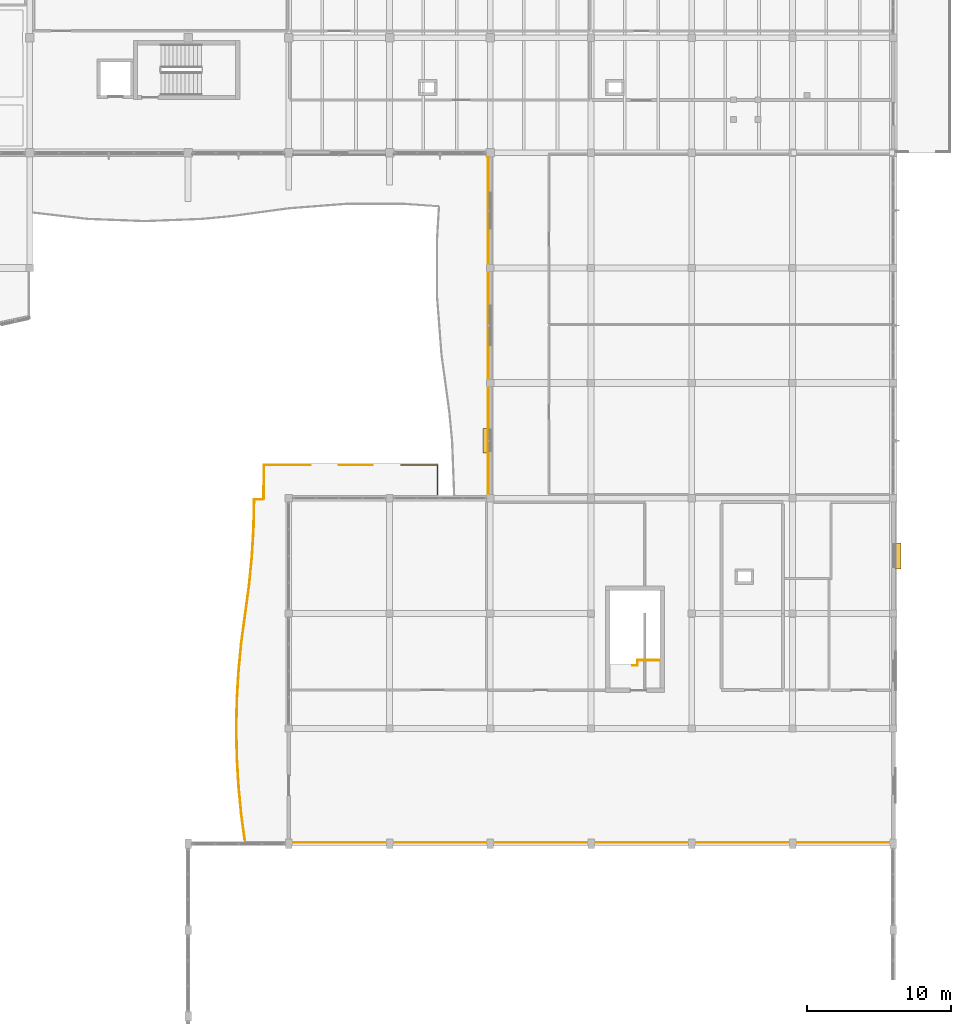
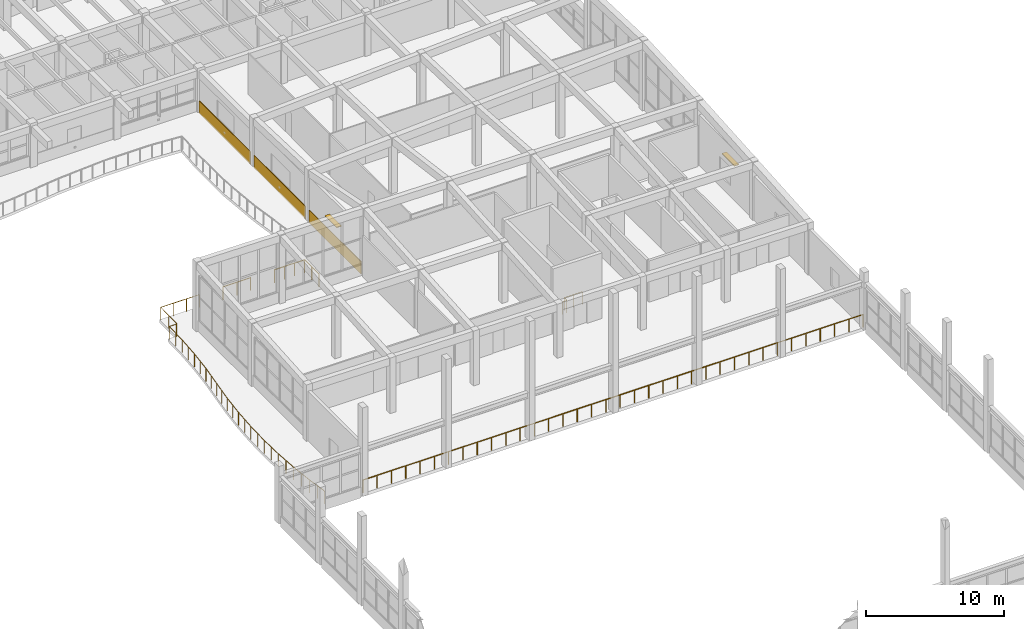
# One storey, part 86 of 89: 5 railings, 3 coverings, 2 shading devices.
"""IFC4 building model written with IfcOpenShell, lengths in metres."""

from ifc_helpers import new_model, si_unit, direction, frame, origin, origin_2d, place, context, subcontext, project, spatial, polyline, rectangle, circle, outline, extrude, material, layer, layer_set, type_object, element, save


model = new_model("IFC4")

# Units and contexts
model_context = context("Model", 3, precision=1e-05, world=origin(), true_north=direction((0.0, 1.0)))
body_context = subcontext(model_context, "Body", "Model", "MODEL_VIEW")
ifc_project = project(units=[si_unit("LENGTHUNIT", "METRE"), si_unit("AREAUNIT", "SQUARE_METRE"), si_unit("VOLUMEUNIT", "CUBIC_METRE"), si_unit("PLANEANGLEUNIT", "RADIAN"), si_unit("MASSUNIT", "GRAM", prefix="KILO")], contexts=[model_context])

# Site, building, storey
site_placement = place(None, origin())
site = spatial("IfcSite", under=ifc_project, at=site_placement, CompositionType="ELEMENT")
building_placement = place(site_placement, origin())
building = spatial("IfcBuilding", under=site, at=building_placement, Name="Tonlespit Floodbar School", CompositionType="ELEMENT")
storey_placement = place(building_placement, frame((0.0, 0.0, 4.5)))
storey = spatial("IfcBuildingStorey", under=building, at=storey_placement, Name="L01", CompositionType="ELEMENT", Elevation=4.5)

# Railing
ifc_material_1 = material(Name="Galvanised Steel", Category="steel")
railing_type_1 = type_object("IfcRailingType", Name="Balustrade_Ext_1150", PredefinedType="BALUSTRADE", material=ifc_material_1)
railing_1_placement = place(storey_placement, frame((137.5, 82.319580078125, 0.0)))
element("IfcRailing", 1, at=railing_1_placement, inside=storey, type_object=railing_type_1, Name="L01 terrace balustrade 004", PredefinedType="BALUSTRADE", context=body_context, shape_type="SweptSolid", body=[
    extrude(circle(Radius=0.02392578125, at=origin_2d()), frame((0.0, 0.0, 1.1259765625), z_axis=(0.999999994367, 0.000106145844, 0.0), x_axis=(-0.000106145844, 0.999999994367, 0.0)), (0.0, 0.0, 1.0), 2.300048828125),
    extrude(circle(Radius=0.02099609375, at=origin_2d()), origin(), (0.0, 0.0, 1.0), 1.101806640625),
    extrude(circle(Radius=0.02099609375, at=origin_2d()), frame((1.14990234375, 0.0, 0.0)), (0.0, 0.0, 1.0), 1.101806640625),
    extrude(circle(Radius=0.02099609375, at=origin_2d()), frame((2.300048828125, 0.000244140625, 0.0)), (0.0, 0.0, 1.0), 1.101806640625),
])

# Coverings
ifc_material_2 = material(Name="White Architectural Aluminium", Category="aluminium")
ifc_layer_1 = layer(ifc_material_2, 0.050048828125)
ifc_layer_set_1 = layer_set([ifc_layer_1], Name="White Architectural Aluminium")
covering_type = type_object("IfcCoveringType", Name="Cladding_WhiteBand_50", PredefinedType="CLADDING", material=ifc_layer_set_1)
covering_1_placement = place(storey_placement, frame((0.0, 0.0, -0.1201171875)))
element("IfcCovering", 2, at=covering_1_placement, inside=storey, type_object=covering_type, Name="L01 curved white spandrel cladding 0661", PredefinedType="CLADDING", context=body_context, shape_type="SweptSolid", body=[
    extrude(outline(polyline([(147.8798828125, 96.25), (147.8798828125, 103.699951171875), (147.830078125, 103.699951171875), (147.830078125, 96.25), (147.8798828125, 96.25)])), origin(), (0.0, 0.0, 1.0), 1.1201171875),
])
covering_2_placement = place(storey_placement, frame((0.0, 0.0, -0.1201171875)))
element("IfcCovering", 3, at=covering_2_placement, inside=storey, type_object=covering_type, Name="L01 curved white spandrel cladding 0662", PredefinedType="CLADDING", context=body_context, shape_type="SweptSolid", body=[
    extrude(outline(polyline([(147.8798828125, 88.25), (147.8798828125, 95.75), (147.830078125, 95.75), (147.830078125, 88.25), (147.8798828125, 88.25)])), origin(), (0.0, 0.0, 1.0), 1.1201171875),
])
covering_3_placement = place(storey_placement, frame((0.0, 0.0, -0.1201171875)))
element("IfcCovering", 4, at=covering_3_placement, inside=storey, type_object=covering_type, Name="L01 curved white spandrel cladding 0663", PredefinedType="CLADDING", context=body_context, shape_type="SweptSolid", body=[
    extrude(outline(polyline([(147.8798828125, 80.25), (147.8798828125, 87.75), (147.830078125, 87.75), (147.830078125, 80.25), (147.8798828125, 80.25)])), origin(), (0.0, 0.0, 1.0), 1.1201171875),
])

# Railings
railing_type_2 = type_object("IfcRailingType", Name="Guard_Int_1150", PredefinedType="BALUSTRADE", material=ifc_material_1)
railing_2_placement = place(storey_placement, frame((159.75, 68.75, 0.0)))
element("IfcRailing", 5, at=railing_2_placement, inside=storey, type_object=railing_type_2, Name="L01 ST-C5 top well guard 1", PredefinedType="BALUSTRADE", context=body_context, shape_type="SweptSolid", body=[
    extrude(circle(Radius=0.02392578125, at=origin_2d()), frame((0.0, 0.0, 1.1259765625), z_axis=(-1.0, 0.0, 0.0), x_axis=(0.0, -1.0, 0.0)), (0.0, 0.0, 1.0), 1.52001953125),
    extrude(circle(Radius=0.02392578125, at=origin_2d()), frame((-1.52001953125, 0.0, 1.1259765625), z_axis=(0.0, -1.0, 0.0), x_axis=(1.0, 0.0, 0.0)), (0.0, 0.0, 1.0), 0.3798828125),
    extrude(circle(Radius=0.02392578125, at=origin_2d()), frame((-1.52001953125, -0.3798828125, 1.1259765625), z_axis=(-1.0, 0.0, 0.0), x_axis=(0.0, -1.0, 0.0)), (0.0, 0.0, 1.0), 0.35009765625),
    extrude(circle(Radius=0.02099609375, at=origin_2d()), origin(), (0.0, 0.0, 1.0), 1.101806640625),
    extrude(circle(Radius=0.02099609375, at=origin_2d()), frame((-0.760009765625, 0.0, 0.0)), (0.0, 0.0, 1.0), 1.101806640625),
    extrude(circle(Radius=0.02099609375, at=origin_2d()), frame((-1.52001953125, 0.0, 0.0)), (0.0, 0.0, 1.0), 1.101806640625),
    extrude(circle(Radius=0.02099609375, at=origin_2d()), frame((-1.52001953125, -0.3798828125, 0.0)), (0.0, 0.0, 1.0), 1.101806640625),
    extrude(circle(Radius=0.02099609375, at=origin_2d()), frame((-1.8701171875, -0.3798828125, 0.0)), (0.0, 0.0, 1.0), 1.101806640625),
])
railing_3_placement = place(storey_placement, frame((134.050048828125, 56.080078125, 0.0)))
element("IfcRailing", 6, at=railing_3_placement, inside=storey, type_object=railing_type_2, Name="L01 Hall spectator gallery balustrade", PredefinedType="BALUSTRADE", context=body_context, shape_type="SweptSolid", body=[
    extrude(circle(Radius=0.02392578125, at=origin_2d()), frame((0.0, 0.0, 1.1259765625), z_axis=(1.0, 0.0, 0.0), x_axis=(0.0, 1.0, 0.0)), (0.0, 0.0, 1.0), 41.89990234375),
    extrude(circle(Radius=0.02099609375, at=origin_2d()), origin(), (0.0, 0.0, 1.0), 1.101806640625),
    extrude(circle(Radius=0.02099609375, at=origin_2d()), frame((1.197021484375, 0.0, 0.0)), (0.0, 0.0, 1.0), 1.101806640625),
    extrude(circle(Radius=0.02099609375, at=origin_2d()), frame((2.394287109375, 0.0, 0.0)), (0.0, 0.0, 1.0), 1.101806640625),
    extrude(circle(Radius=0.02099609375, at=origin_2d()), frame((3.59130859375, 0.0, 0.0)), (0.0, 0.0, 1.0), 1.101806640625),
    extrude(circle(Radius=0.02099609375, at=origin_2d()), frame((4.78857421875, 0.0, 0.0)), (0.0, 0.0, 1.0), 1.101806640625),
    extrude(circle(Radius=0.02099609375, at=origin_2d()), frame((5.985595703125, 0.0, 0.0)), (0.0, 0.0, 1.0), 1.101806640625),
    extrude(circle(Radius=0.02099609375, at=origin_2d()), frame((7.182861328125, 0.0, 0.0)), (0.0, 0.0, 1.0), 1.101806640625),
    extrude(circle(Radius=0.02099609375, at=origin_2d()), frame((8.3798828125, 0.0, 0.0)), (0.0, 0.0, 1.0), 1.101806640625),
    extrude(circle(Radius=0.02099609375, at=origin_2d()), frame((9.5771484375, 0.0, 0.0)), (0.0, 0.0, 1.0), 1.101806640625),
    extrude(circle(Radius=0.02099609375, at=origin_2d()), frame((10.774169921875, 0.0, 0.0)), (0.0, 0.0, 1.0), 1.101806640625),
    extrude(circle(Radius=0.02099609375, at=origin_2d()), frame((11.971435546875, 0.0, 0.0)), (0.0, 0.0, 1.0), 1.101806640625),
    extrude(circle(Radius=0.02099609375, at=origin_2d()), frame((13.16845703125, 0.0, 0.0)), (0.0, 0.0, 1.0), 1.101806640625),
    extrude(circle(Radius=0.02099609375, at=origin_2d()), frame((14.36572265625, 0.0, 0.0)), (0.0, 0.0, 1.0), 1.101806640625),
    extrude(circle(Radius=0.02099609375, at=origin_2d()), frame((15.562744140625, 0.0, 0.0)), (0.0, 0.0, 1.0), 1.101806640625),
    extrude(circle(Radius=0.02099609375, at=origin_2d()), frame((16.760009765625, 0.0, 0.0)), (0.0, 0.0, 1.0), 1.101806640625),
    extrude(circle(Radius=0.02099609375, at=origin_2d()), frame((17.95703125, 0.0, 0.0)), (0.0, 0.0, 1.0), 1.101806640625),
    extrude(circle(Radius=0.02099609375, at=origin_2d()), frame((19.154296875, 0.0, 0.0)), (0.0, 0.0, 1.0), 1.101806640625),
    extrude(circle(Radius=0.02099609375, at=origin_2d()), frame((20.351318359375, 0.0, 0.0)), (0.0, 0.0, 1.0), 1.101806640625),
    extrude(circle(Radius=0.02099609375, at=origin_2d()), frame((21.548583984375, 0.0, 0.0)), (0.0, 0.0, 1.0), 1.101806640625),
    extrude(circle(Radius=0.02099609375, at=origin_2d()), frame((22.74560546875, 0.0, 0.0)), (0.0, 0.0, 1.0), 1.101806640625),
    extrude(circle(Radius=0.02099609375, at=origin_2d()), frame((23.94287109375, 0.0, 0.0)), (0.0, 0.0, 1.0), 1.101806640625),
    extrude(circle(Radius=0.02099609375, at=origin_2d()), frame((25.139892578125, 0.0, 0.0)), (0.0, 0.0, 1.0), 1.101806640625),
    extrude(circle(Radius=0.02099609375, at=origin_2d()), frame((26.337158203125, 0.0, 0.0)), (0.0, 0.0, 1.0), 1.101806640625),
    extrude(circle(Radius=0.02099609375, at=origin_2d()), frame((27.5341796875, 0.0, 0.0)), (0.0, 0.0, 1.0), 1.101806640625),
    extrude(circle(Radius=0.02099609375, at=origin_2d()), frame((28.7314453125, 0.0, 0.0)), (0.0, 0.0, 1.0), 1.101806640625),
    extrude(circle(Radius=0.02099609375, at=origin_2d()), frame((29.928466796875, 0.0, 0.0)), (0.0, 0.0, 1.0), 1.101806640625),
    extrude(circle(Radius=0.02099609375, at=origin_2d()), frame((31.125732421875, 0.0, 0.0)), (0.0, 0.0, 1.0), 1.101806640625),
    extrude(circle(Radius=0.02099609375, at=origin_2d()), frame((32.32275390625, 0.0, 0.0)), (0.0, 0.0, 1.0), 1.101806640625),
    extrude(circle(Radius=0.02099609375, at=origin_2d()), frame((33.52001953125, 0.0, 0.0)), (0.0, 0.0, 1.0), 1.101806640625),
    extrude(circle(Radius=0.02099609375, at=origin_2d()), frame((34.717041015625, 0.0, 0.0)), (0.0, 0.0, 1.0), 1.101806640625),
    extrude(circle(Radius=0.02099609375, at=origin_2d()), frame((35.914306640625, 0.0, 0.0)), (0.0, 0.0, 1.0), 1.101806640625),
    extrude(circle(Radius=0.02099609375, at=origin_2d()), frame((37.111328125, 0.0, 0.0)), (0.0, 0.0, 1.0), 1.101806640625),
    extrude(circle(Radius=0.02099609375, at=origin_2d()), frame((38.30859375, 0.0, 0.0)), (0.0, 0.0, 1.0), 1.101806640625),
    extrude(circle(Radius=0.02099609375, at=origin_2d()), frame((39.505615234375, 0.0, 0.0)), (0.0, 0.0, 1.0), 1.101806640625),
    extrude(circle(Radius=0.02099609375, at=origin_2d()), frame((40.702880859375, 0.0, 0.0)), (0.0, 0.0, 1.0), 1.101806640625),
    extrude(circle(Radius=0.02099609375, at=origin_2d()), frame((41.89990234375, 0.0, 0.0)), (0.0, 0.0, 1.0), 1.101806640625),
])
ifc_material_3 = material(Name="Anodised Aluminium", Category="aluminium")
railing_type_3 = type_object("IfcRailingType", Name="Guardrail_Terrace_1150", PredefinedType="GUARDRAIL", material=ifc_material_3)
railing_4_placement = place(storey_placement, frame((130.94677734375, 56.25244140625, 0.0)))
element("IfcRailing", 7, at=railing_4_placement, inside=storey, type_object=railing_type_3, Name="L01 terrace balustrade 003", PredefinedType="GUARDRAIL", context=body_context, shape_type="SweptSolid", body=[
    extrude(circle(Radius=0.02392578125, at=origin_2d()), frame((0.0, 0.0, 1.1259765625), z_axis=(-0.134824357695, 0.990869513393, 0.0), x_axis=(-0.990869513393, -0.134824357695, 0.0)), (0.0, 0.0, 1.0), 1.772705078125),
    extrude(circle(Radius=0.02392578125, at=origin_2d()), frame((-0.239013671875, 1.756591796875, 1.1259765625), z_axis=(-0.096129750749, 0.995368811557, 0.0), x_axis=(-0.995368811557, -0.096129750749, 0.0)), (0.0, 0.0, 1.0), 2.00634765625),
    extrude(circle(Radius=0.02392578125, at=origin_2d()), frame((-0.431884765625, 3.753662109375, 1.1259765625), z_axis=(-0.057734566721, 0.998331968739, 0.0), x_axis=(-0.998331968739, -0.057734566721, 0.0)), (0.0, 0.0, 1.0), 2.000244140625),
    extrude(circle(Radius=0.02392578125, at=origin_2d()), frame((-0.54736328125, 5.75048828125, 1.1259765625), z_axis=(-0.019314161553, 0.999813464184, 0.0), x_axis=(-0.999813464184, -0.019314161553, 0.0)), (0.0, 0.0, 1.0), 1.997314453125),
    extrude(circle(Radius=0.02392578125, at=origin_2d()), frame((-0.5859375, 7.747314453125, 1.1259765625), z_axis=(0.019314161553, 0.999813464184, 0.0), x_axis=(-0.999813464184, 0.019314161553, 0.0)), (0.0, 0.0, 1.0), 1.997314453125),
    extrude(circle(Radius=0.02392578125, at=origin_2d()), frame((-0.54736328125, 9.744140625, 1.1259765625), z_axis=(0.057727532228, 0.998332375526, 0.0), x_axis=(-0.998332375526, 0.057727532228, 0.0)), (0.0, 0.0, 1.0), 2.00048828125),
    extrude(circle(Radius=0.02392578125, at=origin_2d()), frame((-0.431884765625, 11.7412109375, 1.1259765625), z_axis=(0.096141395359, 0.995367686887, 0.0), x_axis=(-0.995367686887, 0.096141395359, 0.0)), (0.0, 0.0, 1.0), 2.006103515625),
    extrude(circle(Radius=0.02392578125, at=origin_2d()), frame((-0.239013671875, 13.738037109375, 1.1259765625), z_axis=(0.134589280079, 0.990901471231, 0.0), x_axis=(-0.990901471231, 0.134589280079, 0.0)), (0.0, 0.0, 1.0), 2.01708984375),
    extrude(circle(Radius=0.02392578125, at=origin_2d()), frame((0.032470703125, 15.73681640625, 1.1259765625), z_axis=(0.134691964857, 0.990887518643, 0.0), x_axis=(-0.990887518643, 0.134691964857, 0.0)), (0.0, 0.0, 1.0), 2.017333984375),
    extrude(circle(Radius=0.02392578125, at=origin_2d()), frame((0.30419921875, 17.73583984375, 1.1259765625), z_axis=(0.0961885164, 0.995363134395, 0.0), x_axis=(-0.995363134395, 0.0961885164, 0.0)), (0.0, 0.0, 1.0), 2.0126953125),
    extrude(circle(Radius=0.02392578125, at=origin_2d()), frame((0.497802734375, 19.7392578125, 1.1259765625), z_axis=(0.057673494989, 0.998335498706, 0.0), x_axis=(-0.998335498706, 0.057673494989, 0.0)), (0.0, 0.0, 1.0), 2.006591796875),
    extrude(circle(Radius=0.02392578125, at=origin_2d()), frame((0.613525390625, 21.742431640625, 1.1259765625), z_axis=(0.019400279635, 0.999811796865, 0.0), x_axis=(-0.999811796865, 0.019400279635, 0.0)), (0.0, 0.0, 1.0), 1.92529296875),
    extrude(circle(Radius=0.02392578125, at=origin_2d()), frame((0.65087890625, 23.66748046875, 1.1259765625), z_axis=(1.0, 0.0, 0.0), x_axis=(0.0, 1.0, 0.0)), (0.0, 0.0, 1.0), 0.582275390625),
    extrude(circle(Radius=0.02392578125, at=origin_2d()), frame((1.233154296875, 23.66748046875, 1.1259765625), z_axis=(0.915807842128, 0.401616728109, 0.0), x_axis=(-0.401616728109, 0.915807842128, 0.0)), (0.0, 0.0, 1.0), 0.080322265625),
    extrude(circle(Radius=0.02392578125, at=origin_2d()), frame((1.306640625, 23.69970703125, 1.1259765625), z_axis=(0.011239879811, 0.999936830556, 0.0), x_axis=(-0.999936830556, 0.011239879811, 0.0)), (0.0, 0.0, 1.0), 2.36767578125),
    extrude(circle(Radius=0.02392578125, at=origin_2d()), frame((1.333251953125, 26.067138671875, 1.1259765625), z_axis=(1.0, 0.0, 0.0), x_axis=(0.0, 1.0, 0.0)), (0.0, 0.0, 1.0), 3.219970703125),
    extrude(circle(Radius=0.02099609375, at=origin_2d()), origin(), (0.0, 0.0, 1.0), 1.101806640625),
    extrude(circle(Radius=0.02099609375, at=origin_2d()), frame((-0.11962890625, 0.87841796875, 0.0)), (0.0, 0.0, 1.0), 1.101806640625),
    extrude(circle(Radius=0.02099609375, at=origin_2d()), frame((-0.239013671875, 1.756591796875, 0.0)), (0.0, 0.0, 1.0), 1.101806640625),
    extrude(circle(Radius=0.02099609375, at=origin_2d()), frame((-0.33544921875, 2.755126953125, 0.0)), (0.0, 0.0, 1.0), 1.101806640625),
    extrude(circle(Radius=0.02099609375, at=origin_2d()), frame((-0.431884765625, 3.753662109375, 0.0)), (0.0, 0.0, 1.0), 1.101806640625),
    extrude(circle(Radius=0.02099609375, at=origin_2d()), frame((-0.48974609375, 4.751953125, 0.0)), (0.0, 0.0, 1.0), 1.101806640625),
    extrude(circle(Radius=0.02099609375, at=origin_2d()), frame((-0.54736328125, 5.75048828125, 0.0)), (0.0, 0.0, 1.0), 1.101806640625),
    extrude(circle(Radius=0.02099609375, at=origin_2d()), frame((-0.566650390625, 6.7490234375, 0.0)), (0.0, 0.0, 1.0), 1.101806640625),
    extrude(circle(Radius=0.02099609375, at=origin_2d()), frame((-0.5859375, 7.747314453125, 0.0)), (0.0, 0.0, 1.0), 1.101806640625),
    extrude(circle(Radius=0.02099609375, at=origin_2d()), frame((-0.566650390625, 8.74560546875, 0.0)), (0.0, 0.0, 1.0), 1.101806640625),
    extrude(circle(Radius=0.02099609375, at=origin_2d()), frame((-0.54736328125, 9.744140625, 0.0)), (0.0, 0.0, 1.0), 1.101806640625),
    extrude(circle(Radius=0.02099609375, at=origin_2d()), frame((-0.48974609375, 10.74267578125, 0.0)), (0.0, 0.0, 1.0), 1.101806640625),
    extrude(circle(Radius=0.02099609375, at=origin_2d()), frame((-0.431884765625, 11.7412109375, 0.0)), (0.0, 0.0, 1.0), 1.101806640625),
    extrude(circle(Radius=0.02099609375, at=origin_2d()), frame((-0.33544921875, 12.73974609375, 0.0)), (0.0, 0.0, 1.0), 1.101806640625),
    extrude(circle(Radius=0.02099609375, at=origin_2d()), frame((-0.239013671875, 13.738037109375, 0.0)), (0.0, 0.0, 1.0), 1.101806640625),
    extrude(circle(Radius=0.02099609375, at=origin_2d()), frame((-0.103271484375, 14.7373046875, 0.0)), (0.0, 0.0, 1.0), 1.101806640625),
    extrude(circle(Radius=0.02099609375, at=origin_2d()), frame((0.032470703125, 15.73681640625, 0.0)), (0.0, 0.0, 1.0), 1.101806640625),
    extrude(circle(Radius=0.02099609375, at=origin_2d()), frame((0.16845703125, 16.736328125, 0.0)), (0.0, 0.0, 1.0), 1.101806640625),
    extrude(circle(Radius=0.02099609375, at=origin_2d()), frame((0.30419921875, 17.73583984375, 0.0)), (0.0, 0.0, 1.0), 1.101806640625),
    extrude(circle(Radius=0.02099609375, at=origin_2d()), frame((0.40087890625, 18.737548828125, 0.0)), (0.0, 0.0, 1.0), 1.101806640625),
    extrude(circle(Radius=0.02099609375, at=origin_2d()), frame((0.497802734375, 19.7392578125, 0.0)), (0.0, 0.0, 1.0), 1.101806640625),
    extrude(circle(Radius=0.02099609375, at=origin_2d()), frame((0.5556640625, 20.74072265625, 0.0)), (0.0, 0.0, 1.0), 1.101806640625),
    extrude(circle(Radius=0.02099609375, at=origin_2d()), frame((0.613525390625, 21.742431640625, 0.0)), (0.0, 0.0, 1.0), 1.101806640625),
    extrude(circle(Radius=0.02099609375, at=origin_2d()), frame((0.63232421875, 22.705078125, 0.0)), (0.0, 0.0, 1.0), 1.101806640625),
    extrude(circle(Radius=0.02099609375, at=origin_2d()), frame((0.65087890625, 23.66748046875, 0.0)), (0.0, 0.0, 1.0), 1.101806640625),
    extrude(circle(Radius=0.02099609375, at=origin_2d()), frame((1.233154296875, 23.66748046875, 0.0)), (0.0, 0.0, 1.0), 1.101806640625),
    extrude(circle(Radius=0.02099609375, at=origin_2d()), frame((1.306640625, 23.69970703125, 0.0)), (0.0, 0.0, 1.0), 1.101806640625),
    extrude(circle(Radius=0.02099609375, at=origin_2d()), frame((1.31982421875, 24.88330078125, 0.0)), (0.0, 0.0, 1.0), 1.101806640625),
    extrude(circle(Radius=0.02099609375, at=origin_2d()), frame((1.333251953125, 26.067138671875, 0.0)), (0.0, 0.0, 1.0), 1.101806640625),
    extrude(circle(Radius=0.02099609375, at=origin_2d()), frame((2.406494140625, 26.067138671875, 0.0)), (0.0, 0.0, 1.0), 1.101806640625),
    extrude(circle(Radius=0.02099609375, at=origin_2d()), frame((3.47998046875, 26.067138671875, 0.0)), (0.0, 0.0, 1.0), 1.101806640625),
    extrude(circle(Radius=0.02099609375, at=origin_2d()), frame((4.55322265625, 26.067138671875, 0.0)), (0.0, 0.0, 1.0), 1.101806640625),
])
railing_5_placement = place(storey_placement, frame((141.800048828125, 82.31982421875, 0.0)))
element("IfcRailing", 8, at=railing_5_placement, inside=storey, type_object=railing_type_3, Name="L01 terrace balustrade 005", PredefinedType="GUARDRAIL", context=body_context, shape_type="SweptSolid", body=[
    extrude(circle(Radius=0.02392578125, at=origin_2d()), frame((0.0, 0.0, 1.1259765625), z_axis=(0.999999995305, 9.6899224e-05, 0.0), x_axis=(-9.6899224e-05, 0.999999995305, 0.0)), (0.0, 0.0, 1.0), 2.51953125),
    extrude(circle(Radius=0.02392578125, at=origin_2d()), frame((2.51953125, 0.000244140625, 1.1259765625), z_axis=(0.000236155384, -0.999999972115, 0.0), x_axis=(0.999999972115, 0.000236155384, 0.0)), (0.0, 0.0, 1.0), 2.067626953125),
    extrude(circle(Radius=0.02099609375, at=origin_2d()), origin(), (0.0, 0.0, 1.0), 1.101806640625),
    extrude(circle(Radius=0.02099609375, at=origin_2d()), frame((0.83984375, 0.0, 0.0)), (0.0, 0.0, 1.0), 1.101806640625),
    extrude(circle(Radius=0.02099609375, at=origin_2d()), frame((1.6796875, 0.000244140625, 0.0)), (0.0, 0.0, 1.0), 1.101806640625),
    extrude(circle(Radius=0.02099609375, at=origin_2d()), frame((2.51953125, 0.000244140625, 0.0)), (0.0, 0.0, 1.0), 1.101806640625),
    extrude(circle(Radius=0.02099609375, at=origin_2d()), frame((2.519775390625, -1.03369140625, 0.0)), (0.0, 0.0, 1.0), 1.101806640625),
    extrude(circle(Radius=0.02099609375, at=origin_2d()), frame((2.52001953125, -2.0673828125, 0.0)), (0.0, 0.0, 1.0), 1.101806640625),
])

# Shading devices
ifc_layer_2 = layer(ifc_material_3, 0.080078125)
ifc_layer_set_2 = layer_set([ifc_layer_2], Name="Anodised Aluminium")
shading_device_type = type_object("IfcShadingDeviceType", Name="Shading_MonsoonJalousie_400", PredefinedType="JALOUSIE", material=ifc_layer_set_2)
shading_device_1_placement = place(storey_placement, frame((176.33544921875, 76.0, 2.619873046875), z_axis=(0.0, 0.0, 1.0), x_axis=(0.0, -1.0, 0.0)))
element("IfcShadingDevice", 9, at=shading_device_1_placement, inside=storey, type_object=shading_device_type, Name="L01 monsoon jalousie 191", PredefinedType="JALOUSIE", context=body_context, shape_type="SweptSolid", body=[
    extrude(rectangle(XDim=1.800048828125, YDim=0.39990234375, at=origin_2d()), origin(), (0.0, 0.0, 1.0), 0.080078125),
])
shading_device_2_placement = place(storey_placement, frame((147.681884765625, 84.0, 2.320068359375), z_axis=(0.0, 0.0, 1.0), x_axis=(0.0, 1.0, 0.0)))
element("IfcShadingDevice", 10, at=shading_device_2_placement, inside=storey, type_object=shading_device_type, Name="L01 monsoon jalousie 266", PredefinedType="JALOUSIE", context=body_context, shape_type="SweptSolid", body=[
    extrude(rectangle(XDim=1.699951171875, YDim=0.39990234375, at=origin_2d()), origin(), (0.0, 0.0, 1.0), 0.080078125),
])

save(model, "model.ifc")
